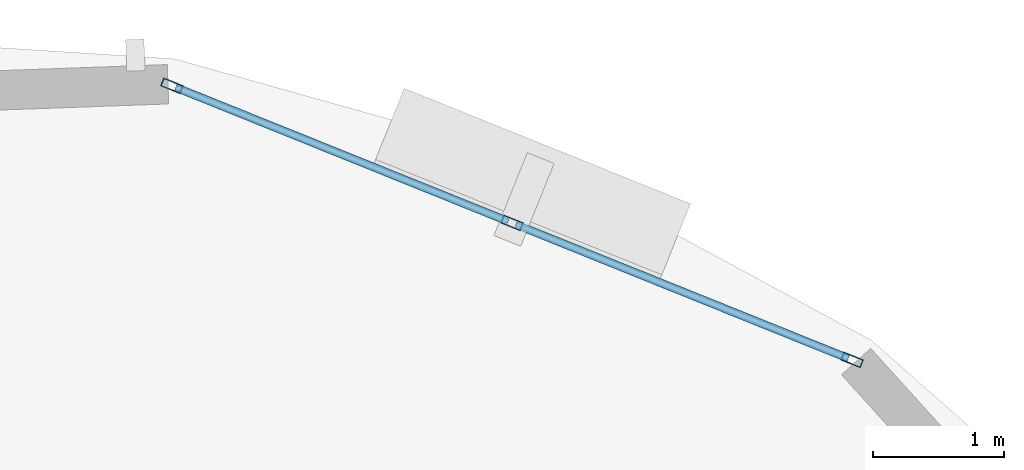
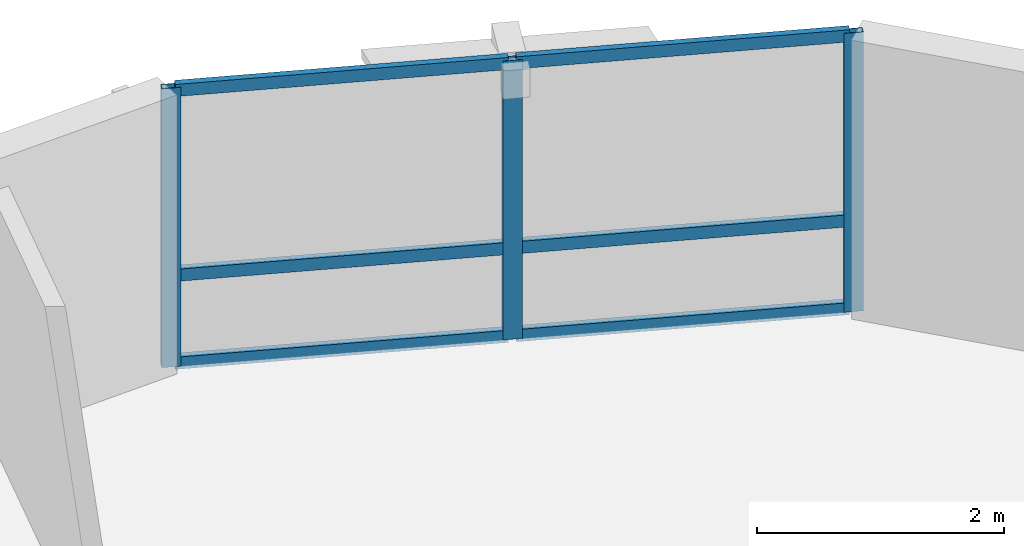
# One storey, part 5 of 11: 9 members, 1 element without a shape of its own.
"""IFC4 building model written with IfcOpenShell, lengths in metres."""

from ifc_helpers import new_model, si_unit, direction, frame, origin, origin_2d, place, context, subcontext, project, spatial, hollow_rectangle, extrude, material, layer, layer_set, material_profile, profile_set, type_object, element, aggregate, save


model = new_model("IFC4")

# Units and contexts
model_context = context("Model", 3, precision=1e-05, world=origin(), true_north=direction((0.0, 1.0)))
body_context = subcontext(model_context, "Body", "Model", "MODEL_VIEW")
ifc_project = project(units=[si_unit("LENGTHUNIT", "METRE"), si_unit("AREAUNIT", "SQUARE_METRE"), si_unit("VOLUMEUNIT", "CUBIC_METRE"), si_unit("PLANEANGLEUNIT", "RADIAN"), si_unit("MASSUNIT", "GRAM", prefix="KILO"), si_unit("THERMODYNAMICTEMPERATUREUNIT", "KELVIN"), si_unit("POWERUNIT", "WATT")], contexts=[model_context])

# Site, building, storey
site_placement = place(None, origin())
site = spatial("IfcSite", under=ifc_project, at=site_placement, CompositionType="ELEMENT")
building_placement = place(site_placement, origin())
building = spatial("IfcBuilding", under=site, at=building_placement, Name="Ocrelia Relay Tower", CompositionType="ELEMENT")
storey_placement = place(building_placement, frame((0.0, 0.0, 259.199951171875)))
storey = spatial("IfcBuildingStorey", under=building, at=storey_placement, Name="L64", CompositionType="ELEMENT", Elevation=259.199951171875)

# Curtain wall, members
ifc_material_1 = material(Name="Aluminium and solar-control low-E glass", Category="aluminium")
ifc_layer = layer(ifc_material_1, 0.179931640625, Name="Aluminium and solar-control low-E glass")
ifc_layer_set = layer_set([ifc_layer], Name="Aluminium and solar-control low-E glass")
curtain_wall_type = type_object("IfcCurtainWallType", Name="CW-SYS-Z4-EXEC", PredefinedType="NOTDEFINED", material=ifc_layer_set)
curtain_wall_placement = place(storey_placement, origin())
curtain_wall = element("IfcCurtainWall", 1, at=curtain_wall_placement, inside=storey, type_object=curtain_wall_type, Name="L64 Elliptical Tower Curtain Wall Bay 01", PredefinedType="NOTDEFINED")
ifc_material_2 = material(Name="Anodised bronze aluminium", Category="aluminium")
ifc_material_profile_1 = material_profile(ifc_material_2, hollow_rectangle(XDim=0.06494140625, YDim=0.159912109375, WallThickness=0.0048828125, at=origin_2d()), Name="CW-MUL-160x65")
ifc_profile_set_1 = profile_set([ifc_material_profile_1], Name="Anodised bronze aluminium")
member_type_1 = type_object("IfcMemberType", Name="CW-SYS-Z4-EXEC-MUL", PredefinedType="MULLION", material=ifc_profile_set_1)
member_1_placement = place(storey_placement, frame((45.98486328125, 43.2353515625, 0.0), z_axis=(0.0, 0.0, 1.0), x_axis=(-0.373751273397, -0.927528967544, 0.0)))
member_1 = element("IfcMember", 2, at=member_1_placement, type_object=member_type_1, Name="CW-Z4 mullion 1", PredefinedType="MULLION", context=body_context, shape_type="SweptSolid", body=[
    extrude(hollow_rectangle(XDim=0.06494140625, YDim=0.159912109375, WallThickness=0.0048828125, at=origin_2d()), origin(), (0.0, 0.0, 1.0), 2.760009765625),
])
member_2_placement = place(storey_placement, frame((43.394775390625, 44.279052734375, 0.0), z_axis=(0.0, 0.0, 1.0), x_axis=(-0.373751273397, -0.927528967544, 0.0)))
member_2 = element("IfcMember", 3, at=member_2_placement, type_object=member_type_1, Name="CW-Z4 mullion 2", PredefinedType="MULLION", context=body_context, shape_type="SweptSolid", body=[
    extrude(hollow_rectangle(XDim=0.06494140625, YDim=0.159912109375, WallThickness=0.0048828125, at=origin_2d()), origin(), (0.0, 0.0, 1.0), 2.760009765625),
])
member_3_placement = place(storey_placement, frame((40.804443359375, 45.32275390625, 0.0), z_axis=(0.0, 0.0, 1.0), x_axis=(-0.373751273397, -0.927528967544, 0.0)))
member_3 = element("IfcMember", 4, at=member_3_placement, type_object=member_type_1, Name="CW-Z4 mullion 3", PredefinedType="MULLION", context=body_context, shape_type="SweptSolid", body=[
    extrude(hollow_rectangle(XDim=0.06494140625, YDim=0.159912109375, WallThickness=0.0048828125, at=origin_2d()), origin(), (0.0, 0.0, 1.0), 2.760009765625),
])
ifc_material_profile_2 = material_profile(ifc_material_2, hollow_rectangle(XDim=0.06005859375, YDim=0.1201171875, WallThickness=0.0048828125, at=origin_2d()), Name="CW-TRN-120x60")
ifc_profile_set_2 = profile_set([ifc_material_profile_2], Name="Anodised bronze aluminium")
member_type_2 = type_object("IfcMemberType", Name="CW-SYS-Z4-EXEC-TRN", PredefinedType="USERDEFINED", material=ifc_profile_set_2)
member_4_placement = place(storey_placement, frame((45.954833984375, 43.24755859375, 0.030029296875), z_axis=(-0.927554088955, 0.373688924191, 0.0), x_axis=(-0.373688924191, -0.927554088955, 0.0)))
member_4 = element("IfcMember", 5, at=member_4_placement, type_object=member_type_2, Name="CW-Z4 transom 1.1", ObjectType="TRANSOM", PredefinedType="USERDEFINED", context=body_context, shape_type="SweptSolid", body=[
    extrude(hollow_rectangle(XDim=0.06005859375, YDim=0.1201171875, WallThickness=0.0048828125, at=origin_2d()), origin(), (0.0, 0.0, 1.0), 2.7275390625),
])
member_5_placement = place(storey_placement, frame((45.954833984375, 43.24755859375, 0.900146484375), z_axis=(-0.927554088955, 0.373688924191, 0.0), x_axis=(-0.373688924191, -0.927554088955, 0.0)))
member_5 = element("IfcMember", 6, at=member_5_placement, type_object=member_type_2, Name="CW-Z4 transom 1.2", ObjectType="TRANSOM", PredefinedType="USERDEFINED", context=body_context, shape_type="SweptSolid", body=[
    extrude(hollow_rectangle(XDim=0.06005859375, YDim=0.1201171875, WallThickness=0.0048828125, at=origin_2d()), origin(), (0.0, 0.0, 1.0), 2.7275390625),
])
member_6_placement = place(storey_placement, frame((45.954833984375, 43.24755859375, 2.72998046875), z_axis=(-0.927554088955, 0.373688924191, 0.0), x_axis=(-0.373688924191, -0.927554088955, 0.0)))
member_6 = element("IfcMember", 7, at=member_6_placement, type_object=member_type_2, Name="CW-Z4 transom 1.3", ObjectType="TRANSOM", PredefinedType="USERDEFINED", context=body_context, shape_type="SweptSolid", body=[
    extrude(hollow_rectangle(XDim=0.06005859375, YDim=0.1201171875, WallThickness=0.0048828125, at=origin_2d()), origin(), (0.0, 0.0, 1.0), 2.7275390625),
])
member_7_placement = place(storey_placement, frame((43.364501953125, 44.291259765625, 0.030029296875), z_axis=(-0.927523062409, 0.373765927687, 0.0), x_axis=(-0.373765927687, -0.927523062409, 0.0)))
member_7 = element("IfcMember", 8, at=member_7_placement, type_object=member_type_2, Name="CW-Z4 transom 2.1", ObjectType="TRANSOM", PredefinedType="USERDEFINED", context=body_context, shape_type="SweptSolid", body=[
    extrude(hollow_rectangle(XDim=0.06005859375, YDim=0.1201171875, WallThickness=0.0048828125, at=origin_2d()), origin(), (0.0, 0.0, 1.0), 2.727783203125),
])
member_8_placement = place(storey_placement, frame((43.364501953125, 44.291259765625, 0.900146484375), z_axis=(-0.927523062409, 0.373765927687, 0.0), x_axis=(-0.373765927687, -0.927523062409, 0.0)))
member_8 = element("IfcMember", 9, at=member_8_placement, type_object=member_type_2, Name="CW-Z4 transom 2.2", ObjectType="TRANSOM", PredefinedType="USERDEFINED", context=body_context, shape_type="SweptSolid", body=[
    extrude(hollow_rectangle(XDim=0.06005859375, YDim=0.1201171875, WallThickness=0.0048828125, at=origin_2d()), origin(), (0.0, 0.0, 1.0), 2.727783203125),
])
member_9_placement = place(storey_placement, frame((43.364501953125, 44.291259765625, 2.72998046875), z_axis=(-0.927523062409, 0.373765927687, 0.0), x_axis=(-0.373765927687, -0.927523062409, 0.0)))
member_9 = element("IfcMember", 10, at=member_9_placement, type_object=member_type_2, Name="CW-Z4 transom 2.3", ObjectType="TRANSOM", PredefinedType="USERDEFINED", context=body_context, shape_type="SweptSolid", body=[
    extrude(hollow_rectangle(XDim=0.06005859375, YDim=0.1201171875, WallThickness=0.0048828125, at=origin_2d()), origin(), (0.0, 0.0, 1.0), 2.727783203125),
])
aggregate(curtain_wall, [member_1, member_2, member_3, member_4, member_5, member_6, member_7, member_8, member_9])

save(model, "model.ifc")
